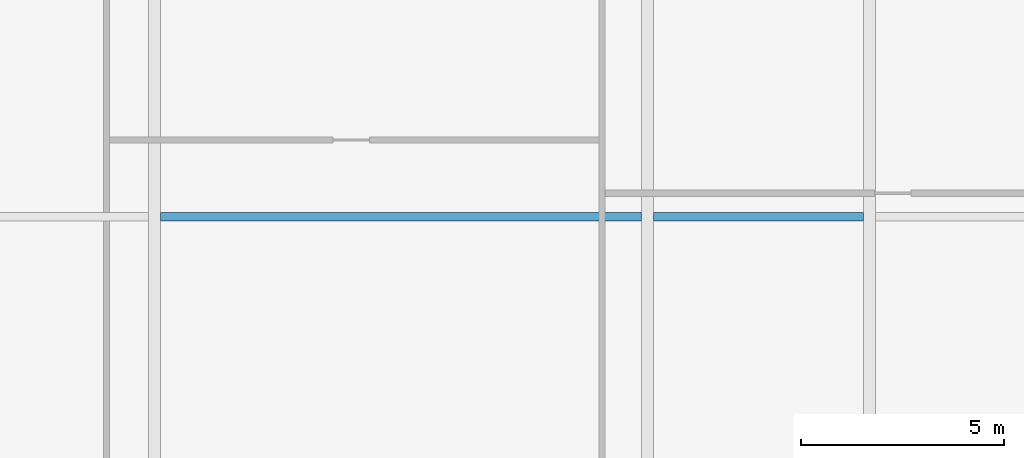
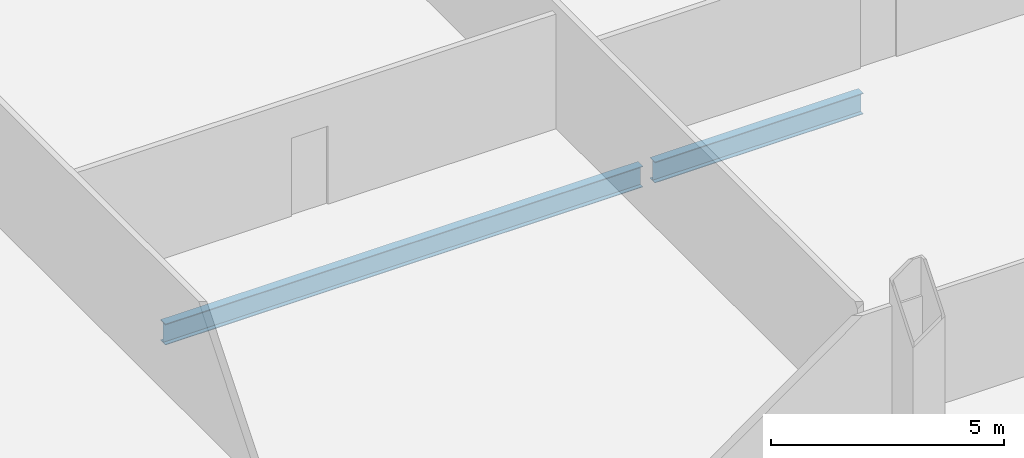
# One storey, part 13 of 33: 2 beams.
"""IFC4 building model written with IfcOpenShell, lengths in metres."""

from ifc_helpers import new_model, si_unit, direction, frame, origin, origin_2d, place, context, subcontext, project, spatial, i_section, extrude, material, material_profile, profile_set, type_object, element, save


model = new_model("IFC4")

# Units and contexts
model_context = context("Model", 3, precision=1e-05, world=origin(), true_north=direction((0.0, 1.0)))
body_context = subcontext(model_context, "Body", "Model", "MODEL_VIEW")
ifc_project = project(units=[si_unit("LENGTHUNIT", "METRE"), si_unit("AREAUNIT", "SQUARE_METRE"), si_unit("VOLUMEUNIT", "CUBIC_METRE"), si_unit("PLANEANGLEUNIT", "RADIAN"), si_unit("MASSUNIT", "GRAM", prefix="KILO")], contexts=[model_context])

# Site, building, storey
site_placement = place(None, origin())
site = spatial("IfcSite", under=ifc_project, at=site_placement, CompositionType="ELEMENT")
building_placement = place(site_placement, origin())
building = spatial("IfcBuilding", under=site, at=building_placement, Name="Khoronbel Lancet Exchange", CompositionType="ELEMENT")
storey_placement = place(building_placement, frame((0.0, 0.0, 73.800048828125)))
storey = spatial("IfcBuildingStorey", under=building, at=storey_placement, Name="L17", CompositionType="ELEMENT", Elevation=73.800048828125)

# Beams
ifc_material = material(Name="Steel S355", Category="steel")
ifc_material_profile = material_profile(ifc_material, i_section(OverallWidth=0.2099609375, OverallDepth=0.550048828125, WebThickness=0.010986328125, FlangeThickness=0.01708984375, at=origin_2d()), Name="IPE 550")
ifc_profile_set = profile_set([ifc_material_profile], Name="Steel S355")
beam_type = type_object("IfcBeamType", Name="BM-BJ2", PredefinedType="JOIST", material=ifc_profile_set)
beam_1_placement = place(storey_placement, frame((30.52490234375, 21.800048828125, -0.455078125), z_axis=(1.0, 0.0, 0.0), x_axis=(0.0, 1.0, 0.0)))
element("IfcBeam", 1, at=beam_1_placement, inside=storey, type_object=beam_type, Name="Level L17 secondary composite joist J08", PredefinedType="JOIST", context=body_context, shape_type="SweptSolid", body=[
    extrude(i_section(OverallWidth=0.2099609375, OverallDepth=0.550048828125, WebThickness=0.010986328125, FlangeThickness=0.01708984375, at=origin_2d()), origin(), (0.0, 0.0, 1.0), 11.85009765625),
])
beam_2_placement = place(storey_placement, frame((42.675048828125, 21.800048828125, -0.455078125), z_axis=(1.0, 0.0, 0.0), x_axis=(0.0, 1.0, 0.0)))
element("IfcBeam", 2, at=beam_2_placement, inside=storey, type_object=beam_type, Name="Level L17 secondary composite joist J09", PredefinedType="JOIST", context=body_context, shape_type="SweptSolid", body=[
    extrude(i_section(OverallWidth=0.2099609375, OverallDepth=0.550048828125, WebThickness=0.010986328125, FlangeThickness=0.01708984375, at=origin_2d()), origin(), (0.0, 0.0, 1.0), 5.175048828125),
])

save(model, "model.ifc")
